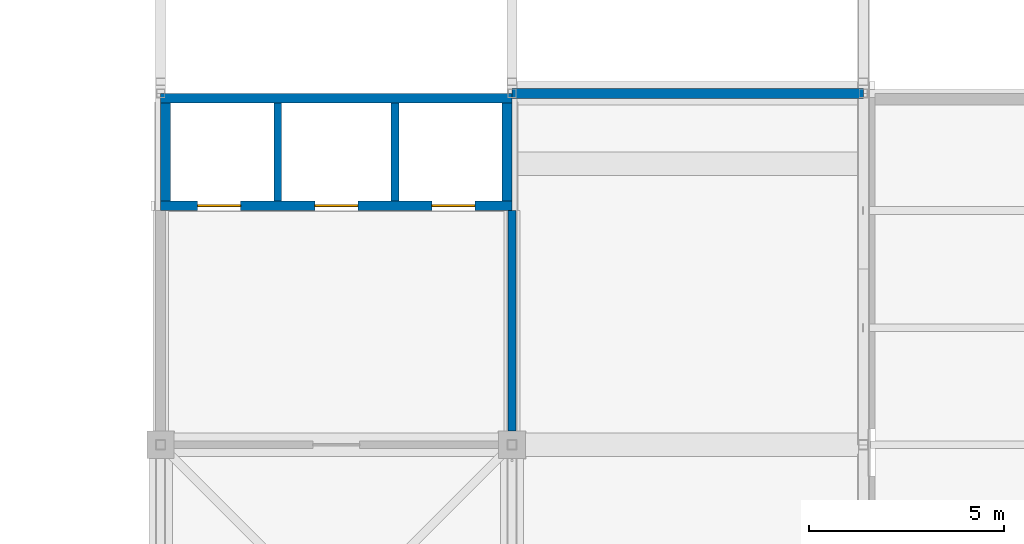
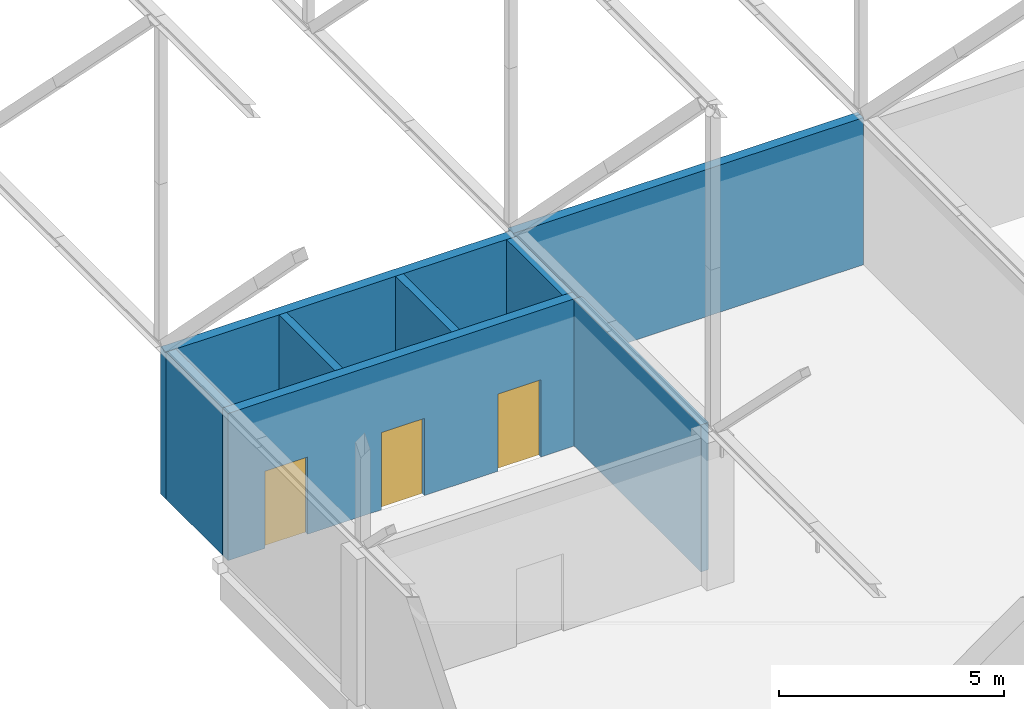
# One storey, part 168 of 646: 8 walls, 3 doors, 3 openings.
"""IFC4 building model written with IfcOpenShell, lengths in metres."""

from ifc_helpers import new_model, si_unit, direction, frame, frame_2d, origin, place, context, subcontext, project, spatial, rectangle, extrude, material, layer, layer_set, type_object, element, fill, save


model = new_model("IFC4")

# Units and contexts
model_context = context("Model", 3, precision=1e-05, world=origin(), true_north=direction((0.0, 1.0)))
body_context = subcontext(model_context, "Body", "Model", "MODEL_VIEW")
ifc_project = project(units=[si_unit("LENGTHUNIT", "METRE"), si_unit("AREAUNIT", "SQUARE_METRE"), si_unit("VOLUMEUNIT", "CUBIC_METRE"), si_unit("PLANEANGLEUNIT", "RADIAN"), si_unit("MASSUNIT", "GRAM", prefix="KILO")], contexts=[model_context])

# Site, building, storey
site_placement = place(None, origin())
site = spatial("IfcSite", under=ifc_project, at=site_placement, CompositionType="ELEMENT")
building_placement = place(site_placement, origin())
building = spatial("IfcBuilding", under=site, at=building_placement, Name="Silverbay Arena", CompositionType="ELEMENT")
storey_placement = place(building_placement, frame((0.0, 0.0, 33.5)))
storey = spatial("IfcBuildingStorey", under=building, at=storey_placement, Name="L05", CompositionType="ELEMENT", Elevation=33.5)

# Walls
ifc_material_1 = material(Name="Concrete Grade C45", Category="concrete")
ifc_layer_1 = layer(ifc_material_1, 0.25)
ifc_layer_set_1 = layer_set([ifc_layer_1], Name="Concrete Grade C45")
wall_type_1 = type_object("IfcWallType", Name="Bowl enclosure wall RC 250 EI 120", PredefinedType="SOLIDWALL", material=ifc_layer_set_1)
wall_1_placement = place(storey_placement, frame((171.0, 63.0, 0.0), z_axis=(0.0, 0.0, 1.0), x_axis=(1.0, 0.0, 0.0)))
element("IfcWall", 1, at=wall_1_placement, inside=storey, type_object=wall_type_1, Name="Bowl enclosure wall, corner block SE-y", PredefinedType="SOLIDWALL", context=body_context, shape_type="SweptSolid", body=[
    extrude(rectangle(XDim=9.0, YDim=0.25, at=frame_2d((4.5, 0.0))), origin(), (0.0, 0.0, 1.0), 4.0),
])
ifc_material_2 = material(Name="Concrete Grade C45", Category="concrete")
ifc_layer_2 = layer(ifc_material_2, 0.199951171875)
ifc_layer_set_2 = layer_set([ifc_layer_2], Name="Concrete Grade C45")
wall_type_2 = type_object("IfcWallType", Name="Lift shaft divider RC 200 EI 120", PredefinedType="SHEAR", material=ifc_layer_set_2)
for number, where, z_axis, x_axis, name in (
    (2, (165.0, 60.25, 0.0), (0.0, 0.0, 1.0), (0.0, 1.0, 0.0), "Lift shaft divider LB-SE L05 1"),
    (3, (168.0, 60.25, 0.0), (0.0, 0.0, 1.0), (0.0, 1.0, 0.0), "Lift shaft divider LB-SE L05 2"),
):
    element("IfcWall", number, at=place(storey_placement, frame(where, z_axis=z_axis, x_axis=x_axis)), inside=storey, type_object=wall_type_2, Name=name, PredefinedType="SHEAR", context=body_context, shape_type="SweptSolid", body=[
        extrude(rectangle(XDim=2.5, YDim=0.199951171875, at=frame_2d((1.25, 0.0))), origin(), (0.0, 0.0, 1.0), 4.0),
    ])

# Wall, openings, doors
ifc_material_3 = material(Name="Concrete Grade C45", Category="concrete")
ifc_layer_3 = layer(ifc_material_3, 0.25)
ifc_layer_set_3 = layer_set([ifc_layer_3], Name="Concrete Grade C45")
wall_type_3 = type_object("IfcWallType", Name="Lift shaft wall RC 250 EI 120", PredefinedType="SHEAR", material=ifc_layer_set_3)
wall_2_placement = place(storey_placement, frame((162.0, 60.125, 0.0), z_axis=(0.0, 0.0, 1.0), x_axis=(1.0, 0.0, 0.0)))
wall_2 = element("IfcWall", 4, at=wall_2_placement, inside=storey, type_object=wall_type_3, Name="Lift shaft wall LB-SE L05 landing side", PredefinedType="SHEAR", context=body_context, shape_type="SweptSolid", body=[
    extrude(rectangle(XDim=9.0, YDim=0.25, at=frame_2d((4.5, 0.0))), origin(), (0.0, 0.0, 1.0), 4.0),
])
opening_1_placement = place(wall_2_placement, frame((0.949951171875, 0.0, 0.0)))
opening_1 = element("IfcOpeningElement", 5, at=opening_1_placement, cuts=wall_2, Name="Opening L05-054", PredefinedType="OPENING", context=body_context, shape_type="SweptSolid", body=[
    extrude(rectangle(XDim=1.10009765625, YDim=2.10009765625, at=frame_2d((0.550048828125, 1.050048828125))), frame((0.0, 0.135009765625, 0.0), z_axis=(0.0, -1.0, 0.0), x_axis=(1.0, 0.0, 0.0)), (0.0, 0.0, 1.0), 0.27001953125),
])
opening_2_placement = place(wall_2_placement, frame((3.949951171875, 0.0, 0.0)))
opening_2 = element("IfcOpeningElement", 6, at=opening_2_placement, cuts=wall_2, Name="Opening L05-055", PredefinedType="OPENING", context=body_context, shape_type="SweptSolid", body=[
    extrude(rectangle(XDim=1.10009765625, YDim=2.10009765625, at=frame_2d((0.550048828125, 1.050048828125))), frame((0.0, 0.135009765625, 0.0), z_axis=(0.0, -1.0, 0.0), x_axis=(1.0, 0.0, 0.0)), (0.0, 0.0, 1.0), 0.27001953125),
])
opening_3_placement = place(wall_2_placement, frame((6.949951171875, 0.0, 0.0)))
opening_3 = element("IfcOpeningElement", 7, at=opening_3_placement, cuts=wall_2, Name="Opening L05-056", PredefinedType="OPENING", context=body_context, shape_type="SweptSolid", body=[
    extrude(rectangle(XDim=1.10009765625, YDim=2.10009765625, at=frame_2d((0.550048828125, 1.050048828125))), frame((0.0, 0.135009765625, 0.0), z_axis=(0.0, -1.0, 0.0), x_axis=(1.0, 0.0, 0.0)), (0.0, 0.0, 1.0), 0.27001953125),
])
ifc_material_4 = material(Name="Stainless steel", Category="steel")
door_type = type_object("IfcDoorType", Name="LD1 lift landing door 1100 x 2100", OperationType="DOUBLE_DOOR_SLIDING", PredefinedType="DOOR", material=ifc_material_4)
door_1_placement = place(opening_1_placement, origin())
door_1 = element("IfcDoor", 8, at=door_1_placement, inside=storey, type_object=door_type, Name="Lift landing door LF6 L05", OperationType="DOUBLE_DOOR_SLIDING", OverallHeight=2.10009765625, OverallWidth=1.10009765625, PredefinedType="DOOR", context=body_context, shape_type="SweptSolid", body=[
    extrude(rectangle(XDim=1.10009765625, YDim=2.10009765625, at=frame_2d((0.550048828125, 1.050048828125))), frame((0.0, 0.02490234375, 0.0), z_axis=(0.0, -1.0, 0.0), x_axis=(1.0, 0.0, 0.0)), (0.0, 0.0, 1.0), 0.050048828125),
])
fill(opening_1, door_1)
door_2_placement = place(opening_2_placement, origin())
door_2 = element("IfcDoor", 9, at=door_2_placement, inside=storey, type_object=door_type, Name="Lift landing door LF7 L05", OperationType="DOUBLE_DOOR_SLIDING", OverallHeight=2.10009765625, OverallWidth=1.10009765625, PredefinedType="DOOR", context=body_context, shape_type="SweptSolid", body=[
    extrude(rectangle(XDim=1.10009765625, YDim=2.10009765625, at=frame_2d((0.550048828125, 1.050048828125))), frame((0.0, 0.02490234375, 0.0), z_axis=(0.0, -1.0, 0.0), x_axis=(1.0, 0.0, 0.0)), (0.0, 0.0, 1.0), 0.050048828125),
])
fill(opening_2, door_2)
door_3_placement = place(opening_3_placement, origin())
door_3 = element("IfcDoor", 10, at=door_3_placement, inside=storey, type_object=door_type, Name="Lift landing door LF8 L05", OperationType="DOUBLE_DOOR_SLIDING", OverallHeight=2.10009765625, OverallWidth=1.10009765625, PredefinedType="DOOR", context=body_context, shape_type="SweptSolid", body=[
    extrude(rectangle(XDim=1.10009765625, YDim=2.10009765625, at=frame_2d((0.550048828125, 1.050048828125))), frame((0.0, 0.02490234375, 0.0), z_axis=(0.0, -1.0, 0.0), x_axis=(1.0, 0.0, 0.0)), (0.0, 0.0, 1.0), 0.050048828125),
])
fill(opening_3, door_3)

# Walls
wall_3_placement = place(storey_placement, frame((162.0, 62.875, 0.0), z_axis=(0.0, 0.0, 1.0), x_axis=(1.0, 0.0, 0.0)))
element("IfcWall", 11, at=wall_3_placement, inside=storey, type_object=wall_type_3, Name="Lift shaft wall LB-SE L05 back", PredefinedType="SHEAR", context=body_context, shape_type="SweptSolid", body=[
    extrude(rectangle(XDim=9.0, YDim=0.25, at=frame_2d((4.5, 0.0))), origin(), (0.0, 0.0, 1.0), 4.0),
])
for number, where, z_axis, x_axis, name in (
    (12, (162.125, 60.25, 0.0), (0.0, 0.0, 1.0), (0.0, 1.0, 0.0), "Lift shaft wall LB-SE L05 end"),
    (13, (170.875, 60.25, 0.0), (0.0, 0.0, 1.0), (0.0, 1.0, 0.0), "Lift shaft wall LB-SE L05 end"),
):
    element("IfcWall", number, at=place(storey_placement, frame(where, z_axis=z_axis, x_axis=x_axis)), inside=storey, type_object=wall_type_3, Name=name, PredefinedType="SHEAR", context=body_context, shape_type="SweptSolid", body=[
        extrude(rectangle(XDim=2.5, YDim=0.25, at=frame_2d((1.25, 0.0))), origin(), (0.0, 0.0, 1.0), 4.0),
    ])
ifc_material_5 = material(Name="Masonry blockwork partition", Category="masonry")
ifc_layer_4 = layer(ifc_material_5, 0.199951171875)
ifc_layer_set_4 = layer_set([ifc_layer_4], Name="Masonry blockwork partition")
wall_type_4 = type_object("IfcWallType", Name="Partition 200 EI 120", PredefinedType="PARTITIONING", material=ifc_layer_set_4)
wall_4_placement = place(storey_placement, frame((171.0, 54.35009765625, 0.0), z_axis=(0.0, 0.0, 1.0), x_axis=(0.0, 1.0, 0.0)))
element("IfcWall", 14, at=wall_4_placement, inside=storey, type_object=wall_type_4, Name="Partition wall", PredefinedType="PARTITIONING", context=body_context, shape_type="SweptSolid", body=[
    extrude(rectangle(XDim=5.64990234375, YDim=0.199951171875, at=frame_2d((2.824951171875, 0.0))), origin(), (0.0, 0.0, 1.0), 4.0),
])

save(model, "model.ifc")
